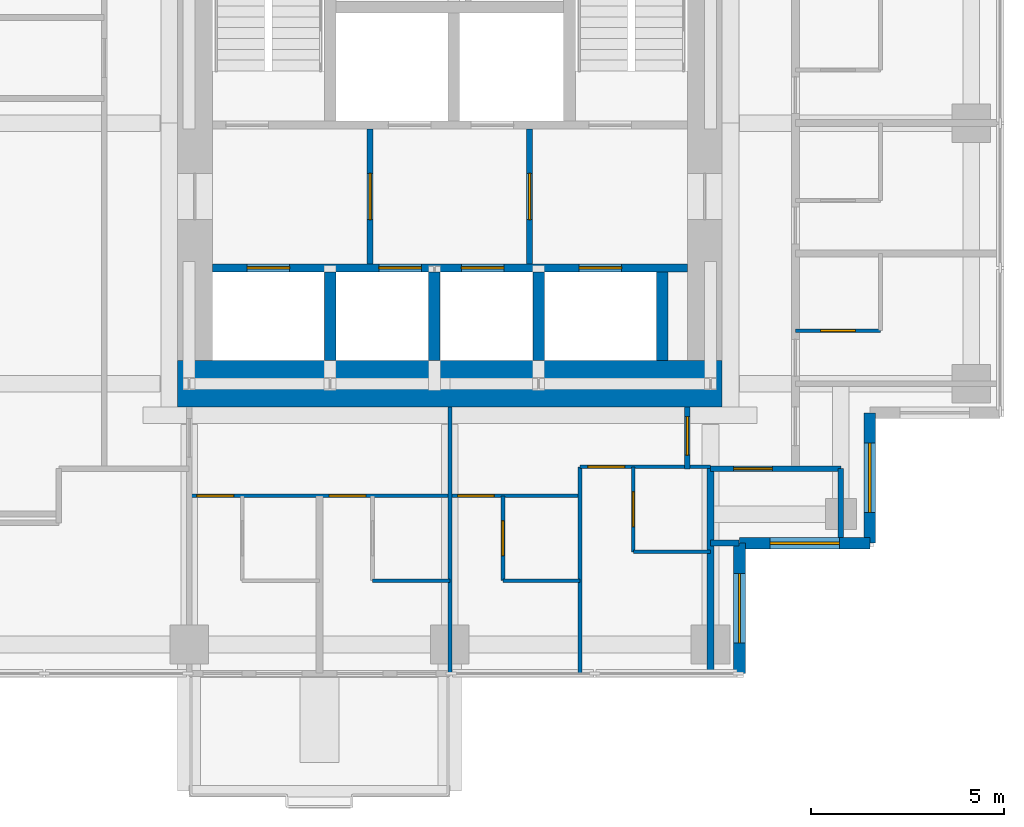
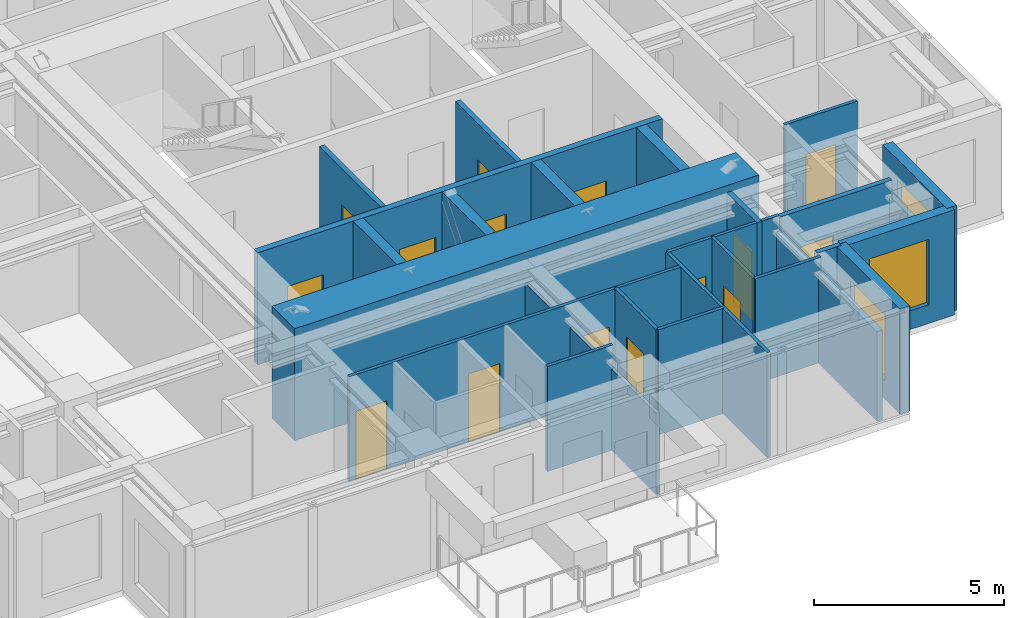
# One storey, part 4 of 8: 26 walls, 15 doors, 3 windows, 18 openings.
"""IFC4 building model written with IfcOpenShell, lengths in metres."""

import ifcopenshell
import ifcopenshell.guid

model = None  # the IFC model being written
_history = None  # IfcOwnerHistory: only IFC2X3 demands one
_inside = {}  # id of a spatial element -> (the spatial element, [elements in it])
_under = {}  # id of a project, library or spatial element -> (it, [spatial elements below it])
_declared = {}  # id of a project -> (the project, [libraries it declares])
_typed = {}  # id of a type object -> (the type object, [elements of that type])
_made_of = {}  # id of a material, layer set ... -> (it, [elements and type objects made of it])


def new_model(schema):
    """Start an empty IFC model of exactly this schema.

    Asked for "IFC4X3", IfcOpenShell would pick the latest addendum, in which some entities
    have other attributes; the version numbers below select the first issue.
    IFC2X3 requires an IfcOwnerHistory on every rooted entity: one is made here for all.
    """
    global model, _history
    if schema == "IFC4X3":
        model = ifcopenshell.file(schema_version=(4, 3, 0, 0))
    else:
        model = ifcopenshell.file(schema=schema)
    _inside.clear()
    _under.clear()
    _declared.clear()
    _typed.clear()
    _made_of.clear()
    _history = None
    if model.schema == "IFC2X3":
        org = make("IfcOrganization", Name="unknown")
        user = make(
            "IfcPersonAndOrganization",
            ThePerson=make("IfcPerson", FamilyName="unknown"),
            TheOrganization=org,
        )
        app = make(
            "IfcApplication",
            ApplicationDeveloper=org,
            Version="unknown",
            ApplicationFullName="unknown",
            ApplicationIdentifier="unknown",
        )
        _history = make(
            "IfcOwnerHistory",
            OwningUser=user,
            OwningApplication=app,
            ChangeAction="ADDED",
            CreationDate=0,
        )
    return model


def make(cls, **values):
    """One entity of the class cls with the attributes given. An attribute that is None is left unset."""
    return model.create_entity(
        cls, **{name: value for name, value in values.items() if value is not None}
    )


def rooted(cls, **values):
    """An entity with a GlobalId (a new one), such as an element, a storey or a relation."""
    return make(cls, GlobalId=ifcopenshell.guid.new(), OwnerHistory=_history, **values)


def si_unit(unit_type, name, prefix=None):
    """IfcSIUnit, for example si_unit("LENGTHUNIT", "METRE", prefix="MILLI")."""
    return make("IfcSIUnit", UnitType=unit_type, Prefix=prefix, Name=name)


def assignment(units):
    """IfcUnitAssignment: the units of a project."""
    return None if units is None else make("IfcUnitAssignment", Units=units)


def point(xyz):
    """IfcCartesianPoint."""
    return None if xyz is None else make("IfcCartesianPoint", Coordinates=xyz)


def direction(xyz):
    """IfcDirection."""
    return None if xyz is None else make("IfcDirection", DirectionRatios=xyz)


def frame(location, z_axis=None, x_axis=None):
    """IfcAxis2Placement3D, a coordinate frame: its origin and axes. An axis left out is left unset."""
    return make(
        "IfcAxis2Placement3D",
        Location=point(location),
        Axis=direction(z_axis),
        RefDirection=direction(x_axis),
    )


def frame_2d(location, x_axis=None):
    """IfcAxis2Placement2D, a coordinate frame in the plane: its origin and x axis."""
    return make(
        "IfcAxis2Placement2D", Location=point(location), RefDirection=direction(x_axis)
    )


def origin():
    """The frame at (0, 0, 0) with its axes left unset."""
    return frame((0.0, 0.0, 0.0))


def place(relative_to, where):
    """IfcLocalPlacement: puts the frame where relative to a parent placement (None: the world)."""
    return make(
        "IfcLocalPlacement", PlacementRelTo=relative_to, RelativePlacement=where
    )


def context(
    kind, dimensions, precision=None, world=None, true_north=None, identifier=None
):
    """IfcGeometricRepresentationContext, for example the 3D "Model" context."""
    return make(
        "IfcGeometricRepresentationContext",
        ContextIdentifier=identifier,
        ContextType=kind,
        CoordinateSpaceDimension=dimensions,
        Precision=precision,
        WorldCoordinateSystem=world,
        TrueNorth=true_north,
    )


def subcontext(parent, identifier, kind, view, scale=None):
    """IfcGeometricRepresentationSubContext, for example "Body" below "Model"."""
    return make(
        "IfcGeometricRepresentationSubContext",
        ContextIdentifier=identifier,
        ContextType=kind,
        ParentContext=parent,
        TargetScale=scale,
        TargetView=view,
    )


def project(units=None, contexts=None):
    """IfcProject with its units and contexts."""
    return rooted(
        "IfcProject",
        Name="project",
        RepresentationContexts=contexts,
        UnitsInContext=assignment(units),
    )


def spatial(cls, under=None, at=None, **own):
    """A site, building, storey or space (cls), placed at a placement, below another one or the project."""
    s = rooted(cls, ObjectPlacement=at, **own)
    if under is not None:
        _under.setdefault(under.id(), (under, []))[1].append(s)
    return s


def profile(cls, at=None, kind="AREA", **sizes):
    """A parametric profile (cls). Its sizes go by their IFC names, for example OverallWidth=200.0."""
    return make(cls, ProfileType=kind, Position=at, **sizes)


def rectangle(**sizes):
    """IfcRectangleProfileDef."""
    return profile("IfcRectangleProfileDef", **sizes)


def extrude(swept, where, along, depth):
    """IfcExtrudedAreaSolid: the profile swept, set in the frame where, extruded along a direction by depth."""
    return make(
        "IfcExtrudedAreaSolid",
        SweptArea=swept,
        Position=where,
        ExtrudedDirection=direction(along),
        Depth=depth,
    )


def shape(context_of_items, identifier, shape_type, items):
    """IfcShapeRepresentation: the items that make up one representation, for example the "Body"."""
    return make(
        "IfcShapeRepresentation",
        ContextOfItems=context_of_items,
        RepresentationIdentifier=identifier,
        RepresentationType=shape_type,
        Items=items,
    )


def material(Name=None, Category=None):
    """IfcMaterial."""
    return make("IfcMaterial", Name=Name, Category=Category)


def layer(
    of_material, thickness, ventilated=None, Name=None, Category=None, Priority=None
):
    """IfcMaterialLayer: one layer of a wall or slab, of a material (None: an air gap)."""
    return make(
        "IfcMaterialLayer",
        Material=of_material,
        LayerThickness=thickness,
        IsVentilated=ventilated,
        Name=Name,
        Category=Category,
        Priority=Priority,
    )


def layer_set(layers, Name=None):
    """IfcMaterialLayerSet."""
    return make("IfcMaterialLayerSet", MaterialLayers=layers, LayerSetName=Name)


def made_of(thing, what):
    """Note that an element or type object is made of a material, layer set ...; save() writes the relation."""
    if what is not None:
        _made_of.setdefault(what.id(), (what, []))[1].append(thing)
    return thing


def type_object(cls, material=None, **own):
    """A type object (cls), such as IfcWallType, which elements share."""
    return made_of(rooted(cls, **own), material)


def element(
    cls,
    number,
    at=None,
    inside=None,
    cuts=None,
    type_object=None,
    material=None,
    context=None,
    identifier="Body",
    shape_type=None,
    held_by="IfcProductDefinitionShape",
    body=None,
    shapes=None,
    **own,
):
    """One element of the class cls, such as IfcWall. Its Tag is "e" and its number.

    at: its placement. inside: the storey or other place that contains it. cuts: it is an
    opening in that element (IfcRelVoidsElement). A single representation is given by context,
    identifier, shape_type and body (its items); several are given by shapes. held_by: the class
    of the entity that holds the representations. save() writes the other relations.
    """
    e = rooted(cls, Tag="e%d" % number, ObjectPlacement=at, **own)
    if body is not None:
        shapes = [shape(context, identifier, shape_type, body)]
    if shapes is not None:
        e.Representation = make(held_by, Representations=shapes)
    if inside is not None:
        _inside.setdefault(inside.id(), (inside, []))[1].append(e)
    if cuts is not None:
        rooted(
            "IfcRelVoidsElement", RelatingBuildingElement=cuts, RelatedOpeningElement=e
        )
    if type_object is not None:
        _typed.setdefault(type_object.id(), (type_object, []))[1].append(e)
    return made_of(e, material)


def fill(opening, filler):
    """IfcRelFillsElement: the door or window that sits in an opening."""
    return rooted(
        "IfcRelFillsElement",
        RelatingOpeningElement=opening,
        RelatedBuildingElement=filler,
    )


def aggregate(whole, parts):
    """IfcRelAggregates: a whole, such as a stair, and the parts it consists of."""
    return rooted("IfcRelAggregates", RelatingObject=whole, RelatedObjects=parts)


def save(model, path):
    """Write the relations noted so far, then the file.

    IfcRelAggregates (storeys below a building ...), IfcRelContainedInSpatialStructure (elements
    in a storey), IfcRelDefinesByType, IfcRelAssociatesMaterial and IfcRelDeclares: one each for
    every whole, place, type object, material and project.
    """
    for whole, parts in _under.values():
        aggregate(whole, parts)
    for where, things in _inside.values():
        rooted(
            "IfcRelContainedInSpatialStructure",
            RelatedElements=things,
            RelatingStructure=where,
        )
    for kind, things in _typed.values():
        rooted("IfcRelDefinesByType", RelatedObjects=things, RelatingType=kind)
    for what, things in _made_of.values():
        rooted("IfcRelAssociatesMaterial", RelatedObjects=things, RelatingMaterial=what)
    for by, libraries in _declared.values():
        rooted("IfcRelDeclares", RelatingContext=by, RelatedDefinitions=libraries)
    model.write(path)


model = new_model("IFC4")

# Units and contexts
model_context = context("Model", 3, precision=1e-05, world=origin(), true_north=direction((0.0, 1.0)))
body_context = subcontext(model_context, "Body", "Model", "MODEL_VIEW")
ifc_project = project(units=[si_unit("LENGTHUNIT", "METRE"), si_unit("AREAUNIT", "SQUARE_METRE"), si_unit("VOLUMEUNIT", "CUBIC_METRE"), si_unit("PLANEANGLEUNIT", "RADIAN"), si_unit("MASSUNIT", "GRAM", prefix="KILO")], contexts=[model_context])

# Site, building, storey
site_placement = place(None, origin())
site = spatial("IfcSite", under=ifc_project, at=site_placement, CompositionType="ELEMENT")
building_placement = place(site_placement, origin())
building = spatial("IfcBuilding", under=site, at=building_placement, Name="Nyansa Garden Tower", CompositionType="ELEMENT")
storey_placement = place(building_placement, frame((0.0, 0.0, 247.5)))
storey = spatial("IfcBuildingStorey", under=building, at=storey_placement, Name="L67", CompositionType="ELEMENT", Elevation=247.5)

# Wall
ifc_material_1 = material(Name="Dense blockwork, plastered both sides, 55 dB", Category="masonry")
ifc_layer_1 = layer(ifc_material_1, 0.175048828125)
ifc_layer_set_1 = layer_set([ifc_layer_1], Name="Acoustic party wall PW175")
wall_type_1 = type_object("IfcWallType", Name="Acoustic party wall PW175", PredefinedType="PARTITIONING", material=ifc_layer_set_1)
wall_1_placement = place(storey_placement, frame((27.0, 6.01611328125, 0.0), z_axis=(0.0, 0.0, 1.0), x_axis=(0.0, 1.0, 0.0)))
element("IfcWall", 1, at=wall_1_placement, inside=storey, type_object=wall_type_1, Name="Party wall", PredefinedType="PARTITIONING", context=body_context, shape_type="SweptSolid", body=[
    extrude(rectangle(XDim=5.333984375, YDim=0.175048828125, at=frame_2d((2.6669921875, 0.0))), origin(), (0.0, 0.0, 1.0), 2.876953125),
])

# Wall, openings, doors
ifc_material_2 = material(Name="Concrete C70/85", Category="concrete")
ifc_layer_2 = layer(ifc_material_2, 0.199951171875)
ifc_layer_set_2 = layer_set([ifc_layer_2], Name="Core inner wall CI200")
wall_type_2 = type_object("IfcWallType", Name="Core inner wall CI200", PredefinedType="SHEAR", material=ifc_layer_set_2)
wall_2_placement = place(storey_placement, frame((14.10009765625, 16.5, 0.0), z_axis=(0.0, 0.0, 1.0), x_axis=(1.0, 0.0, 0.0)))
wall_2 = element("IfcWall", 2, at=wall_2_placement, inside=storey, type_object=wall_type_2, Name="Core inner wall L67", PredefinedType="SHEAR", context=body_context, shape_type="SweptSolid", body=[
    extrude(rectangle(XDim=12.2998046875, YDim=0.199951171875, at=frame_2d((6.14990234375, 0.0))), origin(), (0.0, 0.0, 1.0), 3.60009765625),
])
opening_1_placement = place(wall_2_placement, frame((0.89990234375, 0.0, 0.0)))
opening_1 = element("IfcOpeningElement", 3, at=opening_1_placement, cuts=wall_2, Name="Opening LD-F", PredefinedType="OPENING", context=body_context, shape_type="SweptSolid", body=[
    extrude(rectangle(XDim=1.10009765625, YDim=2.199951171875, at=frame_2d((0.550048828125, 1.10009765625))), frame((0.0, 0.10986328125, 0.0), z_axis=(0.0, -1.0, 0.0), x_axis=(1.0, 0.0, 0.0)), (0.0, 0.0, 1.0), 0.219970703125),
])
opening_2_placement = place(wall_2_placement, frame((4.31005859375, 0.0, 0.0)))
opening_2 = element("IfcOpeningElement", 4, at=opening_2_placement, cuts=wall_2, Name="Opening LD-B", PredefinedType="OPENING", context=body_context, shape_type="SweptSolid", body=[
    extrude(rectangle(XDim=1.10009765625, YDim=2.199951171875, at=frame_2d((0.550048828125, 1.10009765625))), frame((0.0, 0.10986328125, 0.0), z_axis=(0.0, -1.0, 0.0), x_axis=(1.0, 0.0, 0.0)), (0.0, 0.0, 1.0), 0.219970703125),
])
opening_3_placement = place(wall_2_placement, frame((6.449951171875, 0.0, 0.0)))
opening_3 = element("IfcOpeningElement", 5, at=opening_3_placement, cuts=wall_2, Name="Opening LD-B", PredefinedType="OPENING", context=body_context, shape_type="SweptSolid", body=[
    extrude(rectangle(XDim=1.10009765625, YDim=2.199951171875, at=frame_2d((0.550048828125, 1.10009765625))), frame((0.0, 0.10986328125, 0.0), z_axis=(0.0, -1.0, 0.0), x_axis=(1.0, 0.0, 0.0)), (0.0, 0.0, 1.0), 0.219970703125),
])
opening_4_placement = place(wall_2_placement, frame((9.5, 0.0, 0.0)))
opening_4 = element("IfcOpeningElement", 6, at=opening_4_placement, cuts=wall_2, Name="Opening LD-F", PredefinedType="OPENING", context=body_context, shape_type="SweptSolid", body=[
    extrude(rectangle(XDim=1.10009765625, YDim=2.199951171875, at=frame_2d((0.550048828125, 1.10009765625))), frame((0.0, 0.10986328125, 0.0), z_axis=(0.0, -1.0, 0.0), x_axis=(1.0, 0.0, 0.0)), (0.0, 0.0, 1.0), 0.219970703125),
])
ifc_material_3 = material(Name="Stainless steel centre-opening landing door of the high-rise lift, E 120", Category="steel")
door_type_1 = type_object("IfcDoorType", Name="Lift landing door LD-B 1100x2200", OperationType="DOUBLE_DOOR_SLIDING", PredefinedType="DOOR", material=ifc_material_3)
door_1_placement = place(opening_2_placement, origin())
door_1 = element("IfcDoor", 7, at=door_1_placement, inside=storey, type_object=door_type_1, Name="Landing door B1", OperationType="DOUBLE_DOOR_SLIDING", OverallHeight=2.199951171875, OverallWidth=1.10009765625, PredefinedType="DOOR", context=body_context, shape_type="SweptSolid", body=[
    extrude(rectangle(XDim=1.10009765625, YDim=2.199951171875, at=frame_2d((0.550048828125, 1.10009765625))), frame((0.0, 0.02490234375, 0.0), z_axis=(0.0, -1.0, 0.0), x_axis=(1.0, 0.0, 0.0)), (0.0, 0.0, 1.0), 0.050048828125),
])
fill(opening_2, door_1)
door_2_placement = place(opening_3_placement, origin())
door_2 = element("IfcDoor", 8, at=door_2_placement, inside=storey, type_object=door_type_1, Name="Landing door B2", OperationType="DOUBLE_DOOR_SLIDING", OverallHeight=2.199951171875, OverallWidth=1.10009765625, PredefinedType="DOOR", context=body_context, shape_type="SweptSolid", body=[
    extrude(rectangle(XDim=1.10009765625, YDim=2.199951171875, at=frame_2d((0.550048828125, 1.10009765625))), frame((0.0, 0.02490234375, 0.0), z_axis=(0.0, -1.0, 0.0), x_axis=(1.0, 0.0, 0.0)), (0.0, 0.0, 1.0), 0.050048828125),
])
fill(opening_3, door_2)
ifc_material_4 = material(Name="Stainless steel centre-opening landing door of the firefighting lift, EN 81-72, E 120", Category="steel")
door_type_2 = type_object("IfcDoorType", Name="Lift landing door LD-F 1100x2200", OperationType="DOUBLE_DOOR_SLIDING", PredefinedType="DOOR", material=ifc_material_4)
door_3_placement = place(opening_1_placement, origin())
door_3 = element("IfcDoor", 9, at=door_3_placement, inside=storey, type_object=door_type_2, Name="Landing door FF1", OperationType="DOUBLE_DOOR_SLIDING", OverallHeight=2.199951171875, OverallWidth=1.10009765625, PredefinedType="DOOR", context=body_context, shape_type="SweptSolid", body=[
    extrude(rectangle(XDim=1.10009765625, YDim=2.199951171875, at=frame_2d((0.550048828125, 1.10009765625))), frame((0.0, 0.02490234375, 0.0), z_axis=(0.0, -1.0, 0.0), x_axis=(1.0, 0.0, 0.0)), (0.0, 0.0, 1.0), 0.050048828125),
])
fill(opening_1, door_3)
door_4_placement = place(opening_4_placement, origin())
door_4 = element("IfcDoor", 10, at=door_4_placement, inside=storey, type_object=door_type_2, Name="Landing door FF2", OperationType="DOUBLE_DOOR_SLIDING", OverallHeight=2.199951171875, OverallWidth=1.10009765625, PredefinedType="DOOR", context=body_context, shape_type="SweptSolid", body=[
    extrude(rectangle(XDim=1.10009765625, YDim=2.199951171875, at=frame_2d((0.550048828125, 1.10009765625))), frame((0.0, 0.02490234375, 0.0), z_axis=(0.0, -1.0, 0.0), x_axis=(1.0, 0.0, 0.0)), (0.0, 0.0, 1.0), 0.050048828125),
])
fill(opening_4, door_4)

# Walls
ifc_material_5 = material(Name="Concrete C70/85", Category="concrete")
ifc_layer_3 = layer(ifc_material_5, 0.300048828125)
ifc_layer_set_3 = layer_set([ifc_layer_3], Name="Core inner wall CI300")
wall_type_3 = type_object("IfcWallType", Name="Core inner wall CI300", PredefinedType="SHEAR", material=ifc_layer_set_3)
for number, where, z_axis, x_axis, name in (
    (11, (17.14990234375, 14.10009765625, 0.0), (0.0, 0.0, 1.0), (0.0, 1.0, 0.0), "Core inner wall L67"),
    (12, (19.85009765625, 14.10009765625, 0.0), (0.0, 0.0, 1.0), (0.0, 1.0, 0.0), "Core inner wall L67"),
    (13, (22.550048828125, 14.10009765625, 0.0), (0.0, 0.0, 1.0), (0.0, 1.0, 0.0), "Core inner wall L67"),
    (14, (25.75, 14.10009765625, 0.0), (0.0, 0.0, 1.0), (0.0, 1.0, 0.0), "Core inner wall L67"),
):
    element("IfcWall", number, at=place(storey_placement, frame(where, z_axis=z_axis, x_axis=x_axis)), inside=storey, type_object=wall_type_3, Name=name, PredefinedType="SHEAR", context=body_context, shape_type="SweptSolid", body=[
        extrude(rectangle(XDim=2.2998046875, YDim=0.300048828125, at=frame_2d((1.14990234375, 0.0))), origin(), (0.0, 0.0, 1.0), 3.60009765625),
    ])
ifc_material_6 = material(Name="Concrete C80/95", Category="concrete")
ifc_layer_4 = layer(ifc_material_6, 1.199951171875)
ifc_layer_set_4 = layer_set([ifc_layer_4], Name="Core wall CW1200")
wall_type_4 = type_object("IfcWallType", Name="Core wall CW1200", PredefinedType="SHEAR", material=ifc_layer_set_4)
wall_3_placement = place(storey_placement, frame((13.199951171875, 13.5, 0.0), z_axis=(0.0, 0.0, 1.0), x_axis=(1.0, 0.0, 0.0)))
element("IfcWall", 15, at=wall_3_placement, inside=storey, type_object=wall_type_4, Name="Core wall S L67", PredefinedType="SHEAR", context=body_context, shape_type="SweptSolid", body=[
    extrude(rectangle(XDim=14.10009765625, YDim=1.199951171875, at=frame_2d((7.050048828125, 0.0))), origin(), (0.0, 0.0, 1.0), 3.60009765625),
])

# Wall, opening, door
ifc_material_7 = material(Name="Blockwork, plastered both sides", Category="masonry")
ifc_layer_5 = layer(ifc_material_7, 0.14990234375)
ifc_layer_set_5 = layer_set([ifc_layer_5], Name="Partition PW150")
wall_type_5 = type_object("IfcWallType", Name="Partition PW150", PredefinedType="PARTITIONING", material=ifc_layer_set_5)
wall_4_placement = place(storey_placement, frame((18.18505859375, 16.60009765625, 0.0), z_axis=(0.0, 0.0, 1.0), x_axis=(0.0, 1.0, 0.0)))
wall_4 = element("IfcWall", 16, at=wall_4_placement, inside=storey, type_object=wall_type_5, Name="Partition", PredefinedType="PARTITIONING", context=body_context, shape_type="SweptSolid", body=[
    extrude(rectangle(XDim=3.5, YDim=0.14990234375, at=frame_2d((1.75, 0.0))), origin(), (0.0, 0.0, 1.0), 3.375),
])
opening_5_placement = place(wall_4_placement, frame((1.14990234375, 0.0, 0.0)))
opening_5 = element("IfcOpeningElement", 17, at=opening_5_placement, cuts=wall_4, Name="Opening D06", PredefinedType="OPENING", context=body_context, shape_type="SweptSolid", body=[
    extrude(rectangle(XDim=1.199951171875, YDim=2.199951171875, at=frame_2d((0.60009765625, 1.10009765625))), frame((0.0, 0.0849609375, 0.0), z_axis=(0.0, -1.0, 0.0), x_axis=(1.0, 0.0, 0.0)), (0.0, 0.0, 1.0), 0.169921875),
])
ifc_material_8 = material(Name="Steel door, 120 minute fire resisting", Category="steel")
door_type_3 = type_object("IfcDoorType", Name="Lobby door D06 1200x2200", OperationType="DOUBLE_DOOR_SINGLE_SWING", PredefinedType="DOOR", material=ifc_material_8)
door_5_placement = place(opening_5_placement, origin())
door_5 = element("IfcDoor", 18, at=door_5_placement, inside=storey, type_object=door_type_3, Name="Passenger lift lobby door", OperationType="DOUBLE_DOOR_SINGLE_SWING", OverallHeight=2.199951171875, OverallWidth=1.199951171875, PredefinedType="DOOR", context=body_context, shape_type="SweptSolid", body=[
    extrude(rectangle(XDim=1.199951171875, YDim=2.199951171875, at=frame_2d((0.60009765625, 1.10009765625))), frame((0.0, 0.02490234375, 0.0), z_axis=(0.0, -1.0, 0.0), x_axis=(1.0, 0.0, 0.0)), (0.0, 0.0, 1.0), 0.050048828125),
])
fill(opening_5, door_5)

wall_5_placement = place(storey_placement, frame((22.31494140625, 16.60009765625, 0.0), z_axis=(0.0, 0.0, 1.0), x_axis=(0.0, 1.0, 0.0)))
wall_5 = element("IfcWall", 19, at=wall_5_placement, inside=storey, type_object=wall_type_5, Name="Partition", PredefinedType="PARTITIONING", context=body_context, shape_type="SweptSolid", body=[
    extrude(rectangle(XDim=3.5, YDim=0.14990234375, at=frame_2d((1.75, 0.0))), origin(), (0.0, 0.0, 1.0), 3.375),
])
opening_6_placement = place(wall_5_placement, frame((1.14990234375, 0.0, 0.0)))
opening_6 = element("IfcOpeningElement", 20, at=opening_6_placement, cuts=wall_5, Name="Opening D06", PredefinedType="OPENING", context=body_context, shape_type="SweptSolid", body=[
    extrude(rectangle(XDim=1.199951171875, YDim=2.199951171875, at=frame_2d((0.60009765625, 1.10009765625))), frame((0.0, 0.0849609375, 0.0), z_axis=(0.0, -1.0, 0.0), x_axis=(1.0, 0.0, 0.0)), (0.0, 0.0, 1.0), 0.169921875),
])
door_6_placement = place(opening_6_placement, origin())
door_6 = element("IfcDoor", 21, at=door_6_placement, inside=storey, type_object=door_type_3, Name="Passenger lift lobby door", OperationType="DOUBLE_DOOR_SINGLE_SWING", OverallHeight=2.199951171875, OverallWidth=1.199951171875, PredefinedType="DOOR", context=body_context, shape_type="SweptSolid", body=[
    extrude(rectangle(XDim=1.199951171875, YDim=2.199951171875, at=frame_2d((0.60009765625, 1.10009765625))), frame((0.0, 0.02490234375, 0.0), z_axis=(0.0, -1.0, 0.0), x_axis=(1.0, 0.0, 0.0)), (0.0, 0.0, 1.0), 0.050048828125),
])
fill(opening_6, door_6)

wall_6_placement = place(storey_placement, frame((26.39990234375, 11.300048828125, 0.0), z_axis=(0.0, 0.0, 1.0), x_axis=(0.0, 1.0, 0.0)))
wall_6 = element("IfcWall", 22, at=wall_6_placement, inside=storey, type_object=wall_type_5, Name="Partition", PredefinedType="PARTITIONING", context=body_context, shape_type="SweptSolid", body=[
    extrude(rectangle(XDim=1.599853515625, YDim=0.14990234375, at=frame_2d((0.7998046875, 0.0))), origin(), (0.0, 0.0, 1.0), 3.375),
])
opening_7_placement = place(wall_6_placement, frame((0.35009765625, 0.0, 0.0)))
opening_7 = element("IfcOpeningElement", 23, at=opening_7_placement, cuts=wall_6, Name="Opening D03", PredefinedType="OPENING", context=body_context, shape_type="SweptSolid", body=[
    extrude(rectangle(XDim=1.0, YDim=2.199951171875, at=frame_2d((0.5, 1.10009765625))), frame((0.0, 0.0849609375, 0.0), z_axis=(0.0, -1.0, 0.0), x_axis=(1.0, 0.0, 0.0)), (0.0, 0.0, 1.0), 0.169921875),
])
ifc_material_9 = material(Name="Timber flush door, 60 minute fire resisting", Category="wood")
door_type_4 = type_object("IfcDoorType", Name="Cluster entrance door D03 1000x2200", OperationType="SINGLE_SWING_LEFT", PredefinedType="DOOR", material=ifc_material_9)
door_7_placement = place(opening_7_placement, origin())
door_7 = element("IfcDoor", 24, at=door_7_placement, inside=storey, type_object=door_type_4, Name="Door L67-028", OperationType="SINGLE_SWING_LEFT", OverallHeight=2.199951171875, OverallWidth=1.0, PredefinedType="DOOR", context=body_context, shape_type="SweptSolid", body=[
    extrude(rectangle(XDim=1.0, YDim=2.199951171875, at=frame_2d((0.5, 1.10009765625))), frame((0.0, 0.02490234375, 0.0), z_axis=(0.0, -1.0, 0.0), x_axis=(1.0, 0.0, 0.0)), (0.0, 0.0, 1.0), 0.050048828125),
])
fill(opening_7, door_7)

wall_7_placement = place(storey_placement, frame((27.0, 11.300048828125, 0.0), z_axis=(0.0, 0.0, 1.0), x_axis=(1.0, 0.0, 0.0)))
wall_7 = element("IfcWall", 25, at=wall_7_placement, inside=storey, type_object=wall_type_5, Name="Partition", PredefinedType="PARTITIONING", context=body_context, shape_type="SweptSolid", body=[
    extrude(rectangle(XDim=3.375, YDim=0.14990234375, at=frame_2d((1.6875, 0.0))), origin(), (0.0, 0.0, 1.0), 3.375),
])
opening_8_placement = place(wall_7_placement, frame((0.60009765625, 0.0, 0.0)))
opening_8 = element("IfcOpeningElement", 26, at=opening_8_placement, cuts=wall_7, Name="Opening D03", PredefinedType="OPENING", context=body_context, shape_type="SweptSolid", body=[
    extrude(rectangle(XDim=1.0, YDim=2.199951171875, at=frame_2d((0.5, 1.10009765625))), frame((0.0, 0.0849609375, 0.0), z_axis=(0.0, -1.0, 0.0), x_axis=(1.0, 0.0, 0.0)), (0.0, 0.0, 1.0), 0.169921875),
])
door_8_placement = place(opening_8_placement, origin())
door_8 = element("IfcDoor", 27, at=door_8_placement, inside=storey, type_object=door_type_4, Name="Door L67-027", OperationType="SINGLE_SWING_LEFT", OverallHeight=2.199951171875, OverallWidth=1.0, PredefinedType="DOOR", context=body_context, shape_type="SweptSolid", body=[
    extrude(rectangle(XDim=1.0, YDim=2.199951171875, at=frame_2d((0.5, 1.10009765625))), frame((0.0, 0.02490234375, 0.0), z_axis=(0.0, -1.0, 0.0), x_axis=(1.0, 0.0, 0.0)), (0.0, 0.0, 1.0), 0.050048828125),
])
fill(opening_8, door_8)

# Walls
wall_8_placement = place(storey_placement, frame((27.0, 9.375, 0.0), z_axis=(0.0, 0.0, 1.0), x_axis=(1.0, 0.0, 0.0)))
element("IfcWall", 28, at=wall_8_placement, inside=storey, type_object=wall_type_5, Name="Partition", PredefinedType="PARTITIONING", context=body_context, shape_type="SweptSolid", body=[
    extrude(rectangle(XDim=0.73388671875, YDim=0.14990234375, at=frame_2d((0.366943359375, 0.0))), origin(), (0.0, 0.0, 1.0), 3.375),
])
wall_9_placement = place(storey_placement, frame((30.375, 9.52490234375, 0.0), z_axis=(0.0, 0.0, 1.0), x_axis=(0.0, 1.0, 0.0)))
element("IfcWall", 29, at=wall_9_placement, inside=storey, type_object=wall_type_5, Name="Partition", PredefinedType="PARTITIONING", context=body_context, shape_type="SweptSolid", body=[
    extrude(rectangle(XDim=1.775146484375, YDim=0.14990234375, at=frame_2d((0.8876953125, 0.0))), origin(), (0.0, 0.0, 1.0), 2.876953125),
])

# Wall, opening, window
ifc_material_10 = material(Name="Turquoise glazed tile on concrete blockwork", Category="masonry")
ifc_layer_6 = layer(ifc_material_10, 0.300048828125)
ifc_layer_set_6 = layer_set([ifc_layer_6], Name="Tiled corner wall TW300")
wall_type_6 = type_object("IfcWallType", Name="Tiled corner wall TW300", PredefinedType="SOLIDWALL", material=ifc_layer_set_6)
wall_10_placement = place(storey_placement, frame((27.75, 6.0, 0.0), z_axis=(0.0, 0.0, 1.0), x_axis=(0.0, 1.0, 0.0)))
wall_10 = element("IfcWall", 30, at=wall_10_placement, inside=storey, type_object=wall_type_6, Name="Tiled corner wall L67", PredefinedType="SOLIDWALL", context=body_context, shape_type="SweptSolid", body=[
    extrude(rectangle(XDim=3.375, YDim=0.300048828125, at=frame_2d((1.6875, 0.0))), origin(), (0.0, 0.0, 1.0), 3.375),
])
opening_9_placement = place(wall_10_placement, frame((0.78759765625, 0.0, 0.60009765625)))
opening_9 = element("IfcOpeningElement", 31, at=opening_9_placement, cuts=wall_10, Name="Opening W2", PredefinedType="OPENING", context=body_context, shape_type="SweptSolid", body=[
    extrude(rectangle(XDim=1.800048828125, YDim=2.10009765625, at=frame_2d((0.89990234375, 1.050048828125))), frame((0.0, 0.159912109375, 0.0), z_axis=(0.0, -1.0, 0.0), x_axis=(1.0, 0.0, 0.0)), (0.0, 0.0, 1.0), 0.320068359375),
])
ifc_material_11 = material(Name="Black aluminium frame, dark tinted double glazing", Category="aluminium")
window_type = type_object("IfcWindowType", Name="Window W2 1800x2100", PartitioningType="SINGLE_PANEL", PredefinedType="WINDOW", material=ifc_material_11)
window_1_placement = place(opening_9_placement, origin())
window_1 = element("IfcWindow", 32, at=window_1_placement, inside=storey, type_object=window_type, Name="Corner window L67", OverallHeight=2.10009765625, OverallWidth=1.800048828125, PartitioningType="SINGLE_PANEL", PredefinedType="WINDOW", context=body_context, shape_type="SweptSolid", body=[
    extrude(rectangle(XDim=1.800048828125, YDim=2.10009765625, at=frame_2d((0.89990234375, 1.050048828125))), frame((0.0, 0.030029296875, 0.0), z_axis=(0.0, -1.0, 0.0), x_axis=(1.0, 0.0, 0.0)), (0.0, 0.0, 1.0), 0.06005859375),
])
fill(opening_9, window_1)

wall_11_placement = place(storey_placement, frame((27.75, 9.375, 0.0), z_axis=(0.0, 0.0, 1.0), x_axis=(1.0, 0.0, 0.0)))
wall_11 = element("IfcWall", 33, at=wall_11_placement, inside=storey, type_object=wall_type_6, Name="Tiled corner wall L67", PredefinedType="SOLIDWALL", context=body_context, shape_type="SweptSolid", body=[
    extrude(rectangle(XDim=3.375, YDim=0.300048828125, at=frame_2d((1.6875, 0.0))), origin(), (0.0, 0.0, 1.0), 3.375),
])
opening_10_placement = place(wall_11_placement, frame((0.78759765625, 0.0, 0.60009765625)))
opening_10 = element("IfcOpeningElement", 34, at=opening_10_placement, cuts=wall_11, Name="Opening W2", PredefinedType="OPENING", context=body_context, shape_type="SweptSolid", body=[
    extrude(rectangle(XDim=1.800048828125, YDim=2.10009765625, at=frame_2d((0.89990234375, 1.050048828125))), frame((0.0, 0.159912109375, 0.0), z_axis=(0.0, -1.0, 0.0), x_axis=(1.0, 0.0, 0.0)), (0.0, 0.0, 1.0), 0.320068359375),
])
window_2_placement = place(opening_10_placement, origin())
window_2 = element("IfcWindow", 35, at=window_2_placement, inside=storey, type_object=window_type, Name="Corner window L67", OverallHeight=2.10009765625, OverallWidth=1.800048828125, PartitioningType="SINGLE_PANEL", PredefinedType="WINDOW", context=body_context, shape_type="SweptSolid", body=[
    extrude(rectangle(XDim=1.800048828125, YDim=2.10009765625, at=frame_2d((0.89990234375, 1.050048828125))), frame((0.0, 0.030029296875, 0.0), z_axis=(0.0, -1.0, 0.0), x_axis=(1.0, 0.0, 0.0)), (0.0, 0.0, 1.0), 0.06005859375),
])
fill(opening_10, window_2)

wall_12_placement = place(storey_placement, frame((31.125, 9.375, 0.0), z_axis=(0.0, 0.0, 1.0), x_axis=(0.0, 1.0, 0.0)))
wall_12 = element("IfcWall", 36, at=wall_12_placement, inside=storey, type_object=wall_type_6, Name="Tiled corner wall L67", PredefinedType="SOLIDWALL", context=body_context, shape_type="SweptSolid", body=[
    extrude(rectangle(XDim=3.375, YDim=0.300048828125, at=frame_2d((1.6875, 0.0))), origin(), (0.0, 0.0, 1.0), 3.375),
])
opening_11_placement = place(wall_12_placement, frame((0.78759765625, 0.0, 0.60009765625)))
opening_11 = element("IfcOpeningElement", 37, at=opening_11_placement, cuts=wall_12, Name="Opening W2", PredefinedType="OPENING", context=body_context, shape_type="SweptSolid", body=[
    extrude(rectangle(XDim=1.800048828125, YDim=2.10009765625, at=frame_2d((0.89990234375, 1.050048828125))), frame((0.0, 0.159912109375, 0.0), z_axis=(0.0, -1.0, 0.0), x_axis=(1.0, 0.0, 0.0)), (0.0, 0.0, 1.0), 0.320068359375),
])
window_3_placement = place(opening_11_placement, origin())
window_3 = element("IfcWindow", 38, at=window_3_placement, inside=storey, type_object=window_type, Name="Corner window L67", OverallHeight=2.10009765625, OverallWidth=1.800048828125, PartitioningType="SINGLE_PANEL", PredefinedType="WINDOW", context=body_context, shape_type="SweptSolid", body=[
    extrude(rectangle(XDim=1.800048828125, YDim=2.10009765625, at=frame_2d((0.89990234375, 1.050048828125))), frame((0.0, 0.030029296875, 0.0), z_axis=(0.0, -1.0, 0.0), x_axis=(1.0, 0.0, 0.0)), (0.0, 0.0, 1.0), 0.06005859375),
])
fill(opening_11, window_3)

# Wall, openings, doors
ifc_material_12 = material(Name="Moisture resistant board on steel studs, tiled", Category="steel")
ifc_layer_7 = layer(ifc_material_12, 0.10009765625)
ifc_layer_set_7 = layer_set([ifc_layer_7], Name="Wet wall PW100")
wall_type_7 = type_object("IfcWallType", Name="Wet wall PW100", PredefinedType="PARTITIONING", material=ifc_layer_set_7)
wall_13_placement = place(storey_placement, frame((13.5, 10.60009765625, 0.0), z_axis=(0.0, 0.0, 1.0), x_axis=(1.0, 0.0, 0.0)))
wall_13 = element("IfcWall", 39, at=wall_13_placement, inside=storey, type_object=wall_type_7, Name="Wet wall", PredefinedType="PARTITIONING", context=body_context, shape_type="SweptSolid", body=[
    extrude(rectangle(XDim=10.125, YDim=0.10009765625, at=frame_2d((5.0625, 0.0))), origin(), (0.0, 0.0, 1.0), 3.375),
])
opening_12_placement = place(wall_13_placement, frame((0.199951171875, 0.0, 0.0)))
opening_12 = element("IfcOpeningElement", 40, at=opening_12_placement, cuts=wall_13, Name="Opening D01", PredefinedType="OPENING", context=body_context, shape_type="SweptSolid", body=[
    extrude(rectangle(XDim=0.949951171875, YDim=2.199951171875, at=frame_2d((0.47509765625, 1.10009765625))), frame((0.0, 0.06005859375, 0.0), z_axis=(0.0, -1.0, 0.0), x_axis=(1.0, 0.0, 0.0)), (0.0, 0.0, 1.0), 0.1201171875),
])
opening_13_placement = place(wall_13_placement, frame((3.625, 0.0, 0.0)))
opening_13 = element("IfcOpeningElement", 41, at=opening_13_placement, cuts=wall_13, Name="Opening D01", PredefinedType="OPENING", context=body_context, shape_type="SweptSolid", body=[
    extrude(rectangle(XDim=0.949951171875, YDim=2.199951171875, at=frame_2d((0.47509765625, 1.10009765625))), frame((0.0, 0.06005859375, 0.0), z_axis=(0.0, -1.0, 0.0), x_axis=(1.0, 0.0, 0.0)), (0.0, 0.0, 1.0), 0.1201171875),
])
opening_14_placement = place(wall_13_placement, frame((6.949951171875, 0.0, 0.0)))
opening_14 = element("IfcOpeningElement", 42, at=opening_14_placement, cuts=wall_13, Name="Opening D14", PredefinedType="OPENING", context=body_context, shape_type="SweptSolid", body=[
    extrude(rectangle(XDim=0.949951171875, YDim=2.199951171875, at=frame_2d((0.47509765625, 1.10009765625))), frame((0.0, 0.06005859375, 0.0), z_axis=(0.0, -1.0, 0.0), x_axis=(1.0, 0.0, 0.0)), (0.0, 0.0, 1.0), 0.1201171875),
])
ifc_material_13 = material(Name="Timber flush door, 30 minute fire resisting", Category="wood")
door_type_5 = type_object("IfcDoorType", Name="Bedroom door D01 950x2200", OperationType="SINGLE_SWING_LEFT", PredefinedType="DOOR", material=ifc_material_13)
door_9_placement = place(opening_12_placement, origin())
door_9 = element("IfcDoor", 43, at=door_9_placement, inside=storey, type_object=door_type_5, Name="Door L67-018", OperationType="SINGLE_SWING_LEFT", OverallHeight=2.199951171875, OverallWidth=0.949951171875, PredefinedType="DOOR", context=body_context, shape_type="SweptSolid", body=[
    extrude(rectangle(XDim=0.949951171875, YDim=2.199951171875, at=frame_2d((0.47509765625, 1.10009765625))), frame((0.0, 0.02490234375, 0.0), z_axis=(0.0, -1.0, 0.0), x_axis=(1.0, 0.0, 0.0)), (0.0, 0.0, 1.0), 0.050048828125),
])
fill(opening_12, door_9)
door_10_placement = place(opening_13_placement, origin())
door_10 = element("IfcDoor", 44, at=door_10_placement, inside=storey, type_object=door_type_5, Name="Door L67-020", OperationType="SINGLE_SWING_LEFT", OverallHeight=2.199951171875, OverallWidth=0.949951171875, PredefinedType="DOOR", context=body_context, shape_type="SweptSolid", body=[
    extrude(rectangle(XDim=0.949951171875, YDim=2.199951171875, at=frame_2d((0.47509765625, 1.10009765625))), frame((0.0, 0.02490234375, 0.0), z_axis=(0.0, -1.0, 0.0), x_axis=(1.0, 0.0, 0.0)), (0.0, 0.0, 1.0), 0.050048828125),
])
fill(opening_13, door_10)
ifc_material_14 = material(Name="Timber flush door, 60 minute fire resisting, self-closing", Category="wood")
door_type_6 = type_object("IfcDoorType", Name="Studio entrance door D14 950x2200", OperationType="SINGLE_SWING_LEFT", PredefinedType="DOOR", material=ifc_material_14)
door_11_placement = place(opening_14_placement, origin())
door_11 = element("IfcDoor", 45, at=door_11_placement, inside=storey, type_object=door_type_6, Name="Door L67-023", OperationType="SINGLE_SWING_LEFT", OverallHeight=2.199951171875, OverallWidth=0.949951171875, PredefinedType="DOOR", context=body_context, shape_type="SweptSolid", body=[
    extrude(rectangle(XDim=0.949951171875, YDim=2.199951171875, at=frame_2d((0.47509765625, 1.10009765625))), frame((0.0, 0.02490234375, 0.0), z_axis=(0.0, -1.0, 0.0), x_axis=(1.0, 0.0, 0.0)), (0.0, 0.0, 1.0), 0.050048828125),
])
fill(opening_14, door_11)

# Walls
wall_14_placement = place(storey_placement, frame((18.25, 8.39990234375, 0.0), z_axis=(0.0, 0.0, 1.0), x_axis=(1.0, 0.0, 0.0)))
element("IfcWall", 46, at=wall_14_placement, inside=storey, type_object=wall_type_7, Name="Wet wall", PredefinedType="PARTITIONING", context=body_context, shape_type="SweptSolid", body=[
    extrude(rectangle(XDim=2.0, YDim=0.10009765625, at=frame_2d((1.0, 0.0))), origin(), (0.0, 0.0, 1.0), 3.375),
])
wall_15_placement = place(storey_placement, frame((20.25, 6.01611328125, 0.0), z_axis=(0.0, 0.0, 1.0), x_axis=(0.0, 1.0, 0.0)))
element("IfcWall", 47, at=wall_15_placement, inside=storey, type_object=wall_type_7, Name="Wet wall", PredefinedType="PARTITIONING", context=body_context, shape_type="SweptSolid", body=[
    extrude(rectangle(XDim=6.8837890625, YDim=0.10009765625, at=frame_2d((3.44189453125, 0.0))), origin(), (0.0, 0.0, 1.0), 2.610107421875),
])

# Wall, opening, door
wall_16_placement = place(storey_placement, frame((21.625, 8.39990234375, 0.0), z_axis=(0.0, 0.0, 1.0), x_axis=(0.0, 1.0, 0.0)))
wall_16 = element("IfcWall", 48, at=wall_16_placement, inside=storey, type_object=wall_type_7, Name="Wet wall", PredefinedType="PARTITIONING", context=body_context, shape_type="SweptSolid", body=[
    extrude(rectangle(XDim=2.2001953125, YDim=0.10009765625, at=frame_2d((1.10009765625, 0.0))), origin(), (0.0, 0.0, 1.0), 3.375),
])
opening_15_placement = place(wall_16_placement, frame((0.64990234375, 0.0, 0.0)))
opening_15 = element("IfcOpeningElement", 49, at=opening_15_placement, cuts=wall_16, Name="Opening D02", PredefinedType="OPENING", context=body_context, shape_type="SweptSolid", body=[
    extrude(rectangle(XDim=0.89990234375, YDim=2.199951171875, at=frame_2d((0.449951171875, 1.10009765625))), frame((0.0, 0.06005859375, 0.0), z_axis=(0.0, -1.0, 0.0), x_axis=(1.0, 0.0, 0.0)), (0.0, 0.0, 1.0), 0.1201171875),
])
ifc_material_15 = material(Name="Timber flush door", Category="wood")
door_type_7 = type_object("IfcDoorType", Name="En-suite door D02 900x2200", OperationType="SINGLE_SWING_RIGHT", PredefinedType="DOOR", material=ifc_material_15)
door_12_placement = place(opening_15_placement, origin())
door_12 = element("IfcDoor", 50, at=door_12_placement, inside=storey, type_object=door_type_7, Name="Door L67-024", OperationType="SINGLE_SWING_RIGHT", OverallHeight=2.199951171875, OverallWidth=0.89990234375, PredefinedType="DOOR", context=body_context, shape_type="SweptSolid", body=[
    extrude(rectangle(XDim=0.89990234375, YDim=2.199951171875, at=frame_2d((0.449951171875, 1.10009765625))), frame((0.0, 0.02490234375, 0.0), z_axis=(0.0, -1.0, 0.0), x_axis=(1.0, 0.0, 0.0)), (0.0, 0.0, 1.0), 0.050048828125),
])
fill(opening_15, door_12)

# Walls
wall_17_placement = place(storey_placement, frame((21.625, 8.39990234375, 0.0), z_axis=(0.0, 0.0, 1.0), x_axis=(1.0, 0.0, 0.0)))
element("IfcWall", 51, at=wall_17_placement, inside=storey, type_object=wall_type_7, Name="Wet wall", PredefinedType="PARTITIONING", context=body_context, shape_type="SweptSolid", body=[
    extrude(rectangle(XDim=2.0, YDim=0.10009765625, at=frame_2d((1.0, 0.0))), origin(), (0.0, 0.0, 1.0), 3.375),
])
wall_18_placement = place(storey_placement, frame((23.625, 6.01611328125, 0.0), z_axis=(0.0, 0.0, 1.0), x_axis=(0.0, 1.0, 0.0)))
element("IfcWall", 52, at=wall_18_placement, inside=storey, type_object=wall_type_7, Name="Wet wall", PredefinedType="PARTITIONING", context=body_context, shape_type="SweptSolid", body=[
    extrude(rectangle(XDim=5.333984375, YDim=0.10009765625, at=frame_2d((2.6669921875, 0.0))), origin(), (0.0, 0.0, 1.0), 3.375),
])

# Wall, opening, door
wall_19_placement = place(storey_placement, frame((23.625, 11.35009765625, 0.0), z_axis=(0.0, 0.0, 1.0), x_axis=(1.0, 0.0, 0.0)))
wall_19 = element("IfcWall", 53, at=wall_19_placement, inside=storey, type_object=wall_type_7, Name="Wet wall", PredefinedType="PARTITIONING", context=body_context, shape_type="SweptSolid", body=[
    extrude(rectangle(XDim=3.375, YDim=0.10009765625, at=frame_2d((1.6875, 0.0))), origin(), (0.0, 0.0, 1.0), 3.375),
])
opening_16_placement = place(wall_19_placement, frame((0.199951171875, 0.0, 0.0)))
opening_16 = element("IfcOpeningElement", 54, at=opening_16_placement, cuts=wall_19, Name="Opening D14", PredefinedType="OPENING", context=body_context, shape_type="SweptSolid", body=[
    extrude(rectangle(XDim=0.949951171875, YDim=2.199951171875, at=frame_2d((0.47509765625, 1.10009765625))), frame((0.0, 0.06005859375, 0.0), z_axis=(0.0, -1.0, 0.0), x_axis=(1.0, 0.0, 0.0)), (0.0, 0.0, 1.0), 0.1201171875),
])
door_13_placement = place(opening_16_placement, origin())
door_13 = element("IfcDoor", 55, at=door_13_placement, inside=storey, type_object=door_type_6, Name="Door L67-025", OperationType="SINGLE_SWING_LEFT", OverallHeight=2.199951171875, OverallWidth=0.949951171875, PredefinedType="DOOR", context=body_context, shape_type="SweptSolid", body=[
    extrude(rectangle(XDim=0.949951171875, YDim=2.199951171875, at=frame_2d((0.47509765625, 1.10009765625))), frame((0.0, 0.02490234375, 0.0), z_axis=(0.0, -1.0, 0.0), x_axis=(1.0, 0.0, 0.0)), (0.0, 0.0, 1.0), 0.050048828125),
])
fill(opening_16, door_13)

wall_20_placement = place(storey_placement, frame((25.0, 9.14990234375, 0.0), z_axis=(0.0, 0.0, 1.0), x_axis=(0.0, 1.0, 0.0)))
wall_20 = element("IfcWall", 56, at=wall_20_placement, inside=storey, type_object=wall_type_7, Name="Wet wall", PredefinedType="PARTITIONING", context=body_context, shape_type="SweptSolid", body=[
    extrude(rectangle(XDim=2.2001953125, YDim=0.10009765625, at=frame_2d((1.10009765625, 0.0))), origin(), (0.0, 0.0, 1.0), 3.375),
])
opening_17_placement = place(wall_20_placement, frame((0.64990234375, 0.0, 0.0)))
opening_17 = element("IfcOpeningElement", 57, at=opening_17_placement, cuts=wall_20, Name="Opening D02", PredefinedType="OPENING", context=body_context, shape_type="SweptSolid", body=[
    extrude(rectangle(XDim=0.89990234375, YDim=2.199951171875, at=frame_2d((0.449951171875, 1.10009765625))), frame((0.0, 0.06005859375, 0.0), z_axis=(0.0, -1.0, 0.0), x_axis=(1.0, 0.0, 0.0)), (0.0, 0.0, 1.0), 0.1201171875),
])
door_14_placement = place(opening_17_placement, origin())
door_14 = element("IfcDoor", 58, at=door_14_placement, inside=storey, type_object=door_type_7, Name="Door L67-026", OperationType="SINGLE_SWING_RIGHT", OverallHeight=2.199951171875, OverallWidth=0.89990234375, PredefinedType="DOOR", context=body_context, shape_type="SweptSolid", body=[
    extrude(rectangle(XDim=0.89990234375, YDim=2.199951171875, at=frame_2d((0.449951171875, 1.10009765625))), frame((0.0, 0.02490234375, 0.0), z_axis=(0.0, -1.0, 0.0), x_axis=(1.0, 0.0, 0.0)), (0.0, 0.0, 1.0), 0.050048828125),
])
fill(opening_17, door_14)

# Wall
wall_21_placement = place(storey_placement, frame((25.0, 9.14990234375, 0.0), z_axis=(0.0, 0.0, 1.0), x_axis=(1.0, 0.0, 0.0)))
element("IfcWall", 59, at=wall_21_placement, inside=storey, type_object=wall_type_7, Name="Wet wall", PredefinedType="PARTITIONING", context=body_context, shape_type="SweptSolid", body=[
    extrude(rectangle(XDim=2.0, YDim=0.10009765625, at=frame_2d((1.0, 0.0))), origin(), (0.0, 0.0, 1.0), 3.375),
])

# Wall, opening, door
wall_22_placement = place(storey_placement, frame((29.199951171875, 14.875, 0.0), z_axis=(0.0, 0.0, 1.0), x_axis=(1.0, 0.0, 0.0)))
wall_22 = element("IfcWall", 60, at=wall_22_placement, inside=storey, type_object=wall_type_7, Name="Wet wall", PredefinedType="PARTITIONING", context=body_context, shape_type="SweptSolid", body=[
    extrude(rectangle(XDim=2.199951171875, YDim=0.10009765625, at=frame_2d((1.10009765625, 0.0))), origin(), (0.0, 0.0, 1.0), 3.375),
])
opening_18_placement = place(wall_22_placement, frame((0.64990234375, 0.0, 0.0)))
opening_18 = element("IfcOpeningElement", 61, at=opening_18_placement, cuts=wall_22, Name="Opening D02", PredefinedType="OPENING", context=body_context, shape_type="SweptSolid", body=[
    extrude(rectangle(XDim=0.89990234375, YDim=2.199951171875, at=frame_2d((0.449951171875, 1.10009765625))), frame((0.0, 0.06005859375, 0.0), z_axis=(0.0, -1.0, 0.0), x_axis=(1.0, 0.0, 0.0)), (0.0, 0.0, 1.0), 0.1201171875),
])
door_15_placement = place(opening_18_placement, origin())
door_15 = element("IfcDoor", 62, at=door_15_placement, inside=storey, type_object=door_type_7, Name="Door L67-031", OperationType="SINGLE_SWING_RIGHT", OverallHeight=2.199951171875, OverallWidth=0.89990234375, PredefinedType="DOOR", context=body_context, shape_type="SweptSolid", body=[
    extrude(rectangle(XDim=0.89990234375, YDim=2.199951171875, at=frame_2d((0.449951171875, 1.10009765625))), frame((0.0, 0.02490234375, 0.0), z_axis=(0.0, -1.0, 0.0), x_axis=(1.0, 0.0, 0.0)), (0.0, 0.0, 1.0), 0.050048828125),
])
fill(opening_18, door_15)

save(model, "model.ifc")
